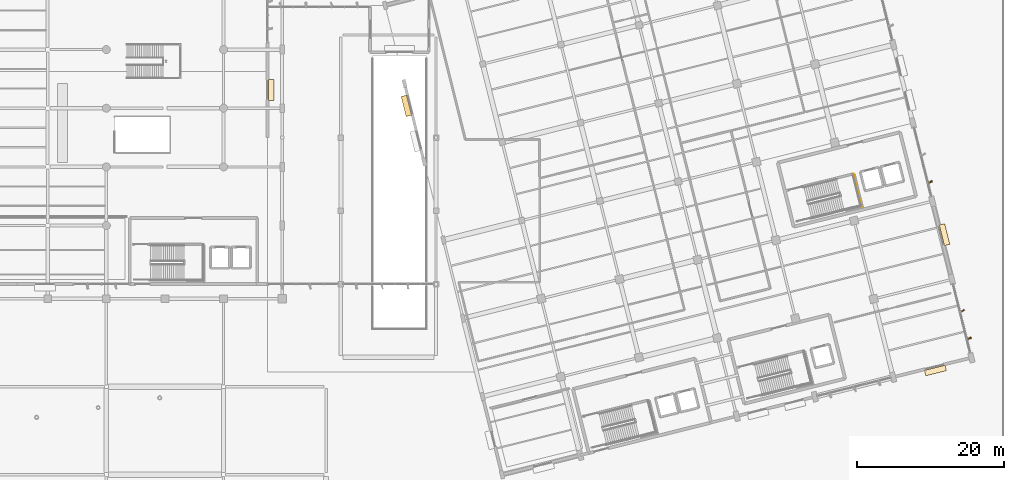
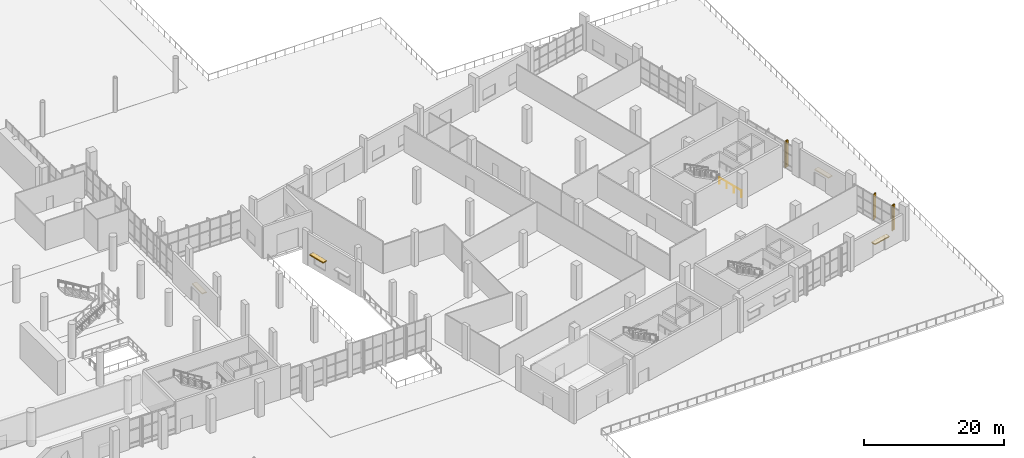
# One storey, part 158 of 163: 6 coverings, 4 shading devices, 1 railing.
"""IFC4 building model written with IfcOpenShell, lengths in metres."""

from ifc_helpers import new_model, si_unit, direction, frame, origin, origin_2d, place, context, subcontext, project, spatial, rectangle, extrude, material, layer, layer_set, type_object, element, save


model = new_model("IFC4")

# Units and contexts
model_context = context("Model", 3, precision=1e-05, world=origin(), true_north=direction((0.0, 1.0)))
body_context = subcontext(model_context, "Body", "Model", "MODEL_VIEW")
ifc_project = project(units=[si_unit("LENGTHUNIT", "METRE"), si_unit("AREAUNIT", "SQUARE_METRE"), si_unit("VOLUMEUNIT", "CUBIC_METRE"), si_unit("PLANEANGLEUNIT", "RADIAN"), si_unit("MASSUNIT", "GRAM", prefix="KILO")], contexts=[model_context])

# Site, building, storey
site_placement = place(None, origin())
site = spatial("IfcSite", under=ifc_project, at=site_placement, CompositionType="ELEMENT")
building_placement = place(site_placement, origin())
building = spatial("IfcBuilding", under=site, at=building_placement, Name="Khorjan Park Terminus", CompositionType="ELEMENT")
storey_placement = place(building_placement, origin())
storey = spatial("IfcBuildingStorey", under=building, at=storey_placement, Name="L00", CompositionType="ELEMENT", Elevation=0.0)

# Coverings
ifc_material_1 = material(Name="Pigmented Precast GRC", Category="concrete")
ifc_layer_1 = layer(ifc_material_1, 0.16)
ifc_layer_set_1 = layer_set([ifc_layer_1], Name="Pigmented Precast GRC")
covering_type_1 = type_object("IfcCoveringType", Name="CV-FIN-GRC", PredefinedType="CLADDING", material=ifc_layer_set_1)
covering_1_placement = place(storey_placement, frame((229.7531, 20.5833, -0.02), z_axis=(0.0, 0.0, 1.0), x_axis=(-0.970295726276, -0.2419218956, 0.0)))
element("IfcCovering", 1, at=covering_1_placement, inside=storey, type_object=covering_type_1, Name="Projecting desert-sandstone GRC facade fin CL-FN1 (CW-V5-E-L00-B01-1)", PredefinedType="CLADDING", context=body_context, shape_type="SweptSolid", body=[
    extrude(rectangle(XDim=0.58, YDim=0.16, at=origin_2d()), origin(), (0.0, 0.0, 1.0), 4.455),
])
covering_2_placement = place(storey_placement, frame((224.4308, 41.9297, -0.02), z_axis=(0.0, 0.0, 1.0), x_axis=(-0.970295726276, -0.2419218956, 0.0)))
element("IfcCovering", 2, at=covering_2_placement, inside=storey, type_object=covering_type_1, Name="Projecting desert-sandstone GRC facade fin CL-FN1 (CW-V5-E-L00-B03-1)", PredefinedType="CLADDING", context=body_context, shape_type="SweptSolid", body=[
    extrude(rectangle(XDim=0.58, YDim=0.16, at=origin_2d()), origin(), (0.0, 0.0, 1.0), 4.605),
])
ifc_layer_2 = layer(ifc_material_1, 0.18)
ifc_layer_set_2 = layer_set([ifc_layer_2], Name="Pigmented Precast GRC")
covering_type_2 = type_object("IfcCoveringType", Name="CV-HOOD-GRC", PredefinedType="CLADDING", material=ifc_layer_set_2)
for number, where, z_axis, x_axis, name in (
    (3, (134.53, 54.5, 2.51), (0.0, 0.0, 1.0), (0.0, 1.0, 0.0), "Projecting pigmented-GRC entrance canopy hood CL-HD1 (EW-V2-E-L00-02)"),
    (4, (225.1317, 16.2176, 2.51), (0.0, 0.0, 1.0), (0.970298281519, 0.241911646849, 0.0), "Projecting pigmented-GRC entrance canopy hood CL-HD1 (EW-V5-S-L00-B06)"),
    (5, (226.3818, 34.7453, 2.51), (0.0, 0.0, 1.0), (-0.241919949632, 0.970296211458, 0.0), "Projecting pigmented-GRC entrance canopy hood CL-HD1 (EW-V5-E-L00-B02)"),
):
    element("IfcCovering", number, at=place(storey_placement, frame(where, z_axis=z_axis, x_axis=x_axis)), inside=storey, type_object=covering_type_2, Name=name, PredefinedType="CLADDING", context=body_context, shape_type="SweptSolid", body=[
        extrude(rectangle(XDim=2.9, YDim=0.76, at=origin_2d()), origin(), (0.0, 0.0, 1.0), 0.18),
    ])
covering_3_placement = place(storey_placement, frame((152.9319, 52.3259, 2.73), z_axis=(0.0, 0.0, 1.0), x_axis=(0.241921955244, -0.970295711405, 0.0)))
element("IfcCovering", 6, at=covering_3_placement, inside=storey, type_object=covering_type_2, Name="Projecting desert-sandstone GRC window eyebrow CL-HD1 (EW-V5-W-L00-B02-1)", PredefinedType="CLADDING", context=body_context, shape_type="SweptSolid", body=[
    extrude(rectangle(XDim=2.84, YDim=0.74, at=origin_2d()), origin(), (0.0, 0.0, 1.0), 0.16),
])

# Railing
ifc_material_2 = material(Name="Steel S355", Category="steel")
railing_type = type_object("IfcRailingType", Name="GR-112", PredefinedType="GUARDRAIL", material=ifc_material_2)
railing_placement = place(storey_placement, frame((215.0518, 38.604, 0.0)))
element("IfcRailing", 7, at=railing_placement, inside=storey, type_object=railing_type, Name="L00 ST-04 stair guard 9", PredefinedType="GUARDRAIL", context=body_context, shape_type="SweptSolid", body=[
    extrude(rectangle(XDim=0.048, YDim=0.048, at=origin_2d()), frame((0.0, 0.0, 1.096), z_axis=(-0.24193185783, 0.970293242359, 0.0), x_axis=(-0.970293242359, -0.24193185783, 0.0)), (0.0, 0.0, 1.0), 4.56),
    extrude(rectangle(XDim=0.042, YDim=0.042, at=origin_2d()), origin(), (0.0, 0.0, 1.0), 1.072),
    extrude(rectangle(XDim=0.042, YDim=0.042, at=origin_2d()), frame((-0.3677, 1.4748, 0.0)), (0.0, 0.0, 1.0), 1.072),
    extrude(rectangle(XDim=0.042, YDim=0.042, at=origin_2d()), frame((-0.7355, 2.9497, 0.0)), (0.0, 0.0, 1.0), 1.072),
    extrude(rectangle(XDim=0.042, YDim=0.042, at=origin_2d()), frame((-1.1032, 4.4245, 0.0)), (0.0, 0.0, 1.0), 1.072),
])

# Shading devices
ifc_material_3 = material(Name="Anodized Bronze Aluminium", Category="aluminium")
shading_device_type_1 = type_object("IfcShadingDeviceType", Name="SD-FIN-620", PredefinedType="JALOUSIE", material=ifc_material_3)
for number, where, z_axis, x_axis, name in (
    (8, (229.7531, 20.5833, -0.02), (0.0, 0.0, 1.0), (-0.809016994375, -0.587785252292, 0.0), "Angled solar brise-soleil fin SF-62 (CW-V5-E-L00-B01-1)"),
    (9, (228.8202, 24.3248, -0.02), (0.0, 0.0, 1.0), (-0.809016994375, -0.587785252292, 0.0), "Angled solar brise-soleil fin SF-62 (CW-V5-E-L00-B01-3)"),
):
    element("IfcShadingDevice", number, at=place(storey_placement, frame(where, z_axis=z_axis, x_axis=x_axis)), inside=storey, type_object=shading_device_type_1, Name=name, PredefinedType="JALOUSIE", context=body_context, shape_type="SweptSolid", body=[
        extrude(rectangle(XDim=0.62, YDim=0.14, at=origin_2d()), origin(), (0.0, 0.0, 1.0), 4.455),
    ])
shading_device_1_placement = place(storey_placement, frame((224.4308, 41.9297, -0.02), z_axis=(0.0, 0.0, 1.0), x_axis=(-0.809016994375, -0.587785252292, 0.0)))
element("IfcShadingDevice", 10, at=shading_device_1_placement, inside=storey, type_object=shading_device_type_1, Name="Angled solar brise-soleil fin SF-62 (CW-V5-E-L00-B03-1)", PredefinedType="JALOUSIE", context=body_context, shape_type="SweptSolid", body=[
    extrude(rectangle(XDim=0.62, YDim=0.14, at=origin_2d()), origin(), (0.0, 0.0, 1.0), 4.605),
])
shading_device_type_2 = type_object("IfcShadingDeviceType", Name="SD-SUN-750", PredefinedType="SHUTTER", material=ifc_material_3)
shading_device_2_placement = place(storey_placement, frame((152.9319, 52.3259, 2.66), z_axis=(0.0, 0.0, 1.0), x_axis=(0.241921955244, -0.970295711405, 0.0)))
element("IfcShadingDevice", 11, at=shading_device_2_placement, inside=storey, type_object=shading_device_type_2, Name="Projecting solar overhang hood SH-75 (EW-V5-W-L00-B02-1)", PredefinedType="SHUTTER", context=body_context, shape_type="SweptSolid", body=[
    extrude(rectangle(XDim=2.76, YDim=0.76, at=origin_2d()), origin(), (0.0, 0.0, 1.0), 0.14),
])

save(model, "model.ifc")
